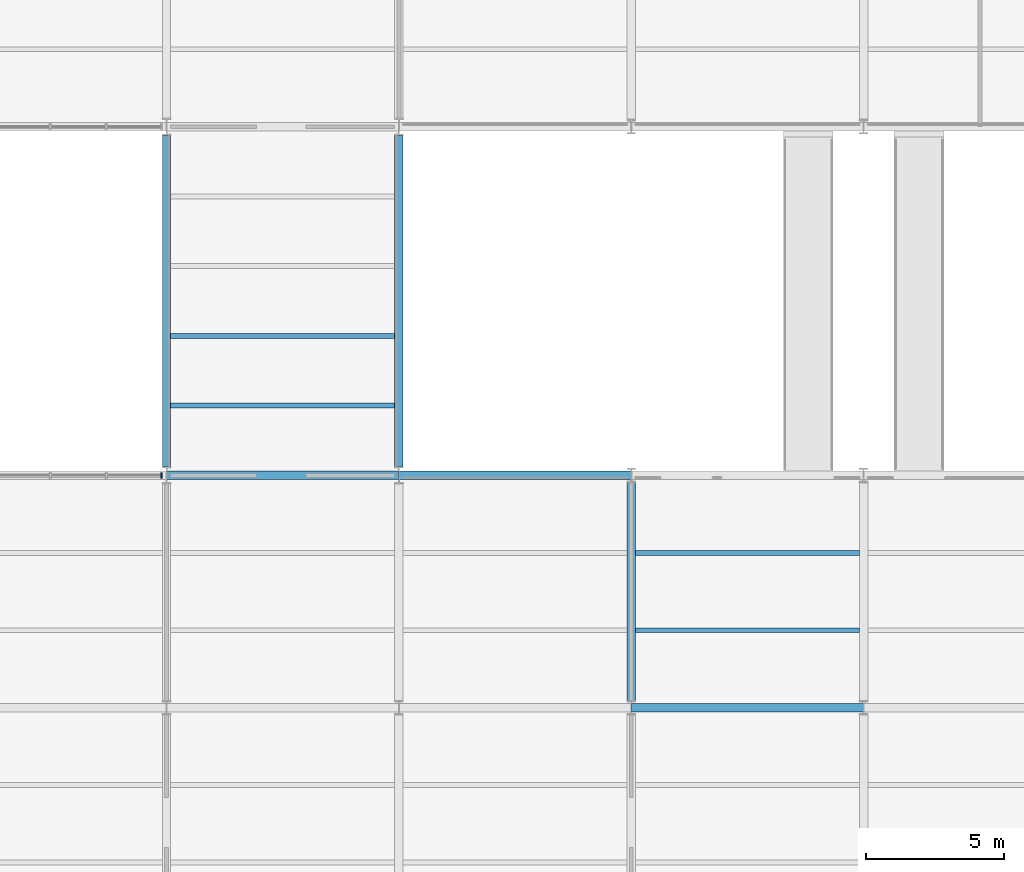
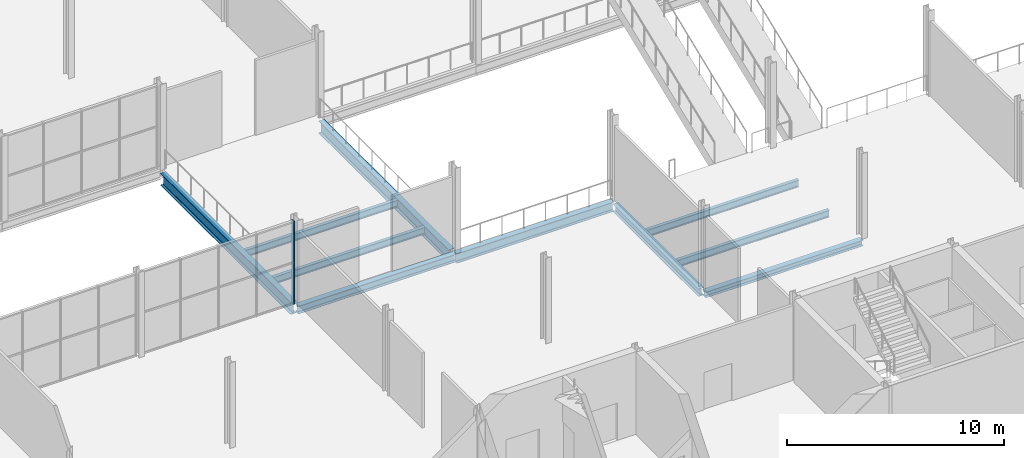
# One storey, part 13 of 61: 10 beams, 1 member, 1 element without a shape of its own.
"""IFC4 building model written with IfcOpenShell, lengths in metres."""

from ifc_helpers import new_model, si_unit, direction, frame, origin, origin_2d, place, context, subcontext, project, spatial, rectangle, i_section, extrude, material, layer, layer_set, material_profile, profile_set, type_object, element, aggregate, save


model = new_model("IFC4")

# Units and contexts
model_context = context("Model", 3, precision=1e-05, world=origin(), true_north=direction((0.0, 1.0)))
body_context = subcontext(model_context, "Body", "Model", "MODEL_VIEW")
ifc_project = project(units=[si_unit("LENGTHUNIT", "METRE"), si_unit("AREAUNIT", "SQUARE_METRE"), si_unit("VOLUMEUNIT", "CUBIC_METRE"), si_unit("PLANEANGLEUNIT", "RADIAN"), si_unit("MASSUNIT", "GRAM", prefix="KILO")], contexts=[model_context])

# Site, building, storey
site_placement = place(None, origin())
site = spatial("IfcSite", under=ifc_project, at=site_placement, CompositionType="ELEMENT")
building_placement = place(site_placement, origin())
building = spatial("IfcBuilding", under=site, at=building_placement, Name="Galleria Vessillo Department Store", CompositionType="ELEMENT")
storey_placement = place(building_placement, frame((0.0, 0.0, 11.39990234375)))
storey = spatial("IfcBuildingStorey", under=building, at=storey_placement, Name="L02", CompositionType="ELEMENT", Elevation=11.39990234375)

# Curtain wall, member
ifc_material_1 = material(Name="Aluminium and glass curtain wall", Category="aluminium")
ifc_layer = layer(ifc_material_1, 0.199951171875)
ifc_layer_set = layer_set([ifc_layer], Name="Aluminium and glass curtain wall")
curtain_wall_type = type_object("IfcCurtainWallType", Name="Arcade curtain wall CW1 2100 module", PredefinedType="NOTDEFINED", material=ifc_layer_set)
curtain_wall_placement = place(storey_placement, origin())
curtain_wall = element("IfcCurtainWall", 1, at=curtain_wall_placement, inside=storey, type_object=curtain_wall_type, Name="Arcade curtain wall CW1 2100 module AI-AW-S-L02-02", PredefinedType="NOTDEFINED")
ifc_material_2 = material(Name="Aluminium alloy 6063 T6", Category="aluminium")
ifc_material_profile_1 = material_profile(ifc_material_2, rectangle(XDim=0.199951171875, YDim=0.06005859375, at=origin_2d()), Name="AL 60x200")
ifc_profile_set_1 = profile_set([ifc_material_profile_1], Name="Aluminium alloy 6063 T6")
member_type = type_object("IfcMemberType", Name="Aluminium mullion 60 x 200", PredefinedType="MULLION", material=ifc_profile_set_1)
member_placement = place(storey_placement, frame((33.41748046875, 25.199951171875, 0.0), z_axis=(0.0, 0.0, 1.0), x_axis=(0.0, 1.0, 0.0)))
member = element("IfcMember", 2, at=member_placement, type_object=member_type, Name="CW1 mullion 5", PredefinedType="MULLION", context=body_context, shape_type="SweptSolid", body=[
    extrude(rectangle(XDim=0.199951171875, YDim=0.06005859375, at=origin_2d()), origin(), (0.0, 0.0, 1.0), 4.650146484375),
])
aggregate(curtain_wall, [member])

# Beams
ifc_material_3 = material(Name="Steel S355 J2", Category="steel")
ifc_material_profile_2 = material_profile(ifc_material_3, i_section(OverallWidth=0.300048828125, OverallDepth=0.43994140625, WebThickness=0.011474609375, FlangeThickness=0.02099609375, FilletRadius=0.027099609375, at=origin_2d()), Name="HEA 450")
ifc_profile_set_2 = profile_set([ifc_material_profile_2], Name="Steel S355 J2")
beam_type_1 = type_object("IfcBeamType", Name="Bridge girder HEA 450", PredefinedType="BEAM", material=ifc_profile_set_2)
beam_1_placement = place(storey_placement, frame((33.610595703125, 25.199951171875, -0.369873046875), z_axis=(1.0, 0.0, 0.0), x_axis=(0.0, 1.0, 0.0)))
element("IfcBeam", 3, at=beam_1_placement, inside=storey, type_object=beam_type_1, Name="S-BM-L02-BR-x25200-33611", PredefinedType="BEAM", context=body_context, shape_type="SweptSolid", body=[
    extrude(i_section(OverallWidth=0.300048828125, OverallDepth=0.43994140625, WebThickness=0.011474609375, FlangeThickness=0.02099609375, FilletRadius=0.027099609375, at=origin_2d()), origin(), (0.0, 0.0, 1.0), 8.378662109375),
])
ifc_material_4 = material(Name="Steel S355 J2", Category="steel")
ifc_material_profile_3 = material_profile(ifc_material_4, i_section(OverallWidth=0.300048828125, OverallDepth=0.68994140625, WebThickness=0.014404296875, FlangeThickness=0.027099609375, FilletRadius=0.027099609375, at=origin_2d()), Name="HEA 700")
ifc_profile_set_3 = profile_set([ifc_material_profile_3], Name="Steel S355 J2")
beam_type_2 = type_object("IfcBeamType", Name="Bridge girder HEA 700", PredefinedType="BEAM", material=ifc_profile_set_3)
for number, where, z_axis, x_axis, name in (
    (4, (33.60009765625, 25.51025390625, -0.494873046875), (0.0, 1.0, 0.0), (-1.0, 0.0, 0.0), "S-BM-L02-BR-y33600-25510"),
    (5, (42.0, 25.51025390625, -0.494873046875), (0.0, 1.0, 0.0), (-1.0, 0.0, 0.0), "S-BM-L02-BR-y42000-25510"),
):
    element("IfcBeam", number, at=place(storey_placement, frame(where, z_axis=z_axis, x_axis=x_axis)), inside=storey, type_object=beam_type_2, Name=name, PredefinedType="BEAM", context=body_context, shape_type="SweptSolid", body=[
        extrude(i_section(OverallWidth=0.300048828125, OverallDepth=0.68994140625, WebThickness=0.014404296875, FlangeThickness=0.027099609375, FilletRadius=0.027099609375, at=origin_2d()), origin(), (0.0, 0.0, 1.0), 11.9794921875),
    ])
ifc_material_5 = material(Name="Steel S355 J2", Category="steel")
ifc_material_profile_4 = material_profile(ifc_material_5, i_section(OverallWidth=0.300048828125, OverallDepth=0.43994140625, WebThickness=0.011474609375, FlangeThickness=0.02099609375, FilletRadius=0.027099609375, at=origin_2d()), Name="HEA 450")
ifc_profile_set_4 = profile_set([ifc_material_profile_4], Name="Steel S355 J2")
beam_type_3 = type_object("IfcBeamType", Name="Floor girder HEA 450", PredefinedType="BEAM", material=ifc_profile_set_4)
beam_2_placement = place(storey_placement, frame((50.39990234375, 17.050048828125, -0.369873046875), z_axis=(0.0, 1.0, 0.0), x_axis=(-1.0, 0.0, 0.0)))
element("IfcBeam", 6, at=beam_2_placement, inside=storey, type_object=beam_type_3, Name="S-BM-L02-GI-y50400-17050", PredefinedType="BEAM", context=body_context, shape_type="SweptSolid", body=[
    extrude(i_section(OverallWidth=0.300048828125, OverallDepth=0.43994140625, WebThickness=0.011474609375, FlangeThickness=0.02099609375, FilletRadius=0.027099609375, at=origin_2d()), origin(), (0.0, 0.0, 1.0), 7.887939453125),
])
ifc_material_6 = material(Name="Steel S355 J2", Category="steel")
ifc_material_profile_5 = material_profile(ifc_material_6, i_section(OverallWidth=0.179931640625, OverallDepth=0.39990234375, WebThickness=0.008544921875, FlangeThickness=0.013427734375, FilletRadius=0.02099609375, at=origin_2d()), Name="IPE 400")
ifc_profile_set_5 = profile_set([ifc_material_profile_5], Name="Steel S355 J2")
beam_type_4 = type_object("IfcBeamType", Name="Floor joist IPE 400", PredefinedType="JOIST", material=ifc_profile_set_5)
for number, where, z_axis, x_axis, name in (
    (7, (33.750244140625, 27.719970703125, -0.349853515625), (1.0, 0.0, 0.0), (0.0, 1.0, 0.0), "S-BM-L02-JO-x27720-33750"),
    (8, (33.750244140625, 30.239990234375, -0.349853515625), (1.0, 0.0, 0.0), (0.0, 1.0, 0.0), "S-BM-L02-JO-x30240-33750"),
):
    element("IfcBeam", number, at=place(storey_placement, frame(where, z_axis=z_axis, x_axis=x_axis)), inside=storey, type_object=beam_type_4, Name=name, PredefinedType="JOIST", context=body_context, shape_type="SweptSolid", body=[
        extrude(i_section(OverallWidth=0.179931640625, OverallDepth=0.39990234375, WebThickness=0.008544921875, FlangeThickness=0.013427734375, FilletRadius=0.02099609375, at=origin_2d()), origin(), (0.0, 0.0, 1.0), 8.099609375),
    ])
for number, where, z_axis, x_axis, name in (
    (9, (50.550048828125, 19.60009765625, -0.349853515625), (1.0, 0.0, 0.0), (0.0, 1.0, 0.0), "S-BM-L02-JO-x19600-50550"),
    (10, (50.550048828125, 22.39990234375, -0.349853515625), (1.0, 0.0, 0.0), (0.0, 1.0, 0.0), "S-BM-L02-JO-x22400-50550"),
):
    element("IfcBeam", number, at=place(storey_placement, frame(where, z_axis=z_axis, x_axis=x_axis)), inside=storey, type_object=beam_type_4, Name=name, PredefinedType="JOIST", context=body_context, shape_type="SweptSolid", body=[
        extrude(i_section(OverallWidth=0.179931640625, OverallDepth=0.39990234375, WebThickness=0.008544921875, FlangeThickness=0.013427734375, FilletRadius=0.02099609375, at=origin_2d()), origin(), (0.0, 0.0, 1.0), 8.099853515625),
    ])
ifc_material_7 = material(Name="Steel S355 J2", Category="steel")
ifc_material_profile_6 = material_profile(ifc_material_7, i_section(OverallWidth=0.300048828125, OverallDepth=0.330078125, WebThickness=0.009521484375, FlangeThickness=0.0166015625, FilletRadius=0.027099609375, at=origin_2d()), Name="HEA 340")
ifc_profile_set_6 = profile_set([ifc_material_profile_6], Name="Steel S355 J2")
beam_type_5 = type_object("IfcBeamType", Name="Floor tie girder HEA 340", PredefinedType="BEAM", material=ifc_profile_set_6)
beam_3_placement = place(storey_placement, frame((50.407470703125, 16.800048828125, -0.31494140625), z_axis=(1.0, 0.0, 0.0), x_axis=(0.0, 1.0, 0.0)))
element("IfcBeam", 11, at=beam_3_placement, inside=storey, type_object=beam_type_5, Name="S-BM-L02-TI-x16800-50407", PredefinedType="BEAM", context=body_context, shape_type="SweptSolid", body=[
    extrude(i_section(OverallWidth=0.300048828125, OverallDepth=0.330078125, WebThickness=0.009521484375, FlangeThickness=0.0166015625, FilletRadius=0.027099609375, at=origin_2d()), origin(), (0.0, 0.0, 1.0), 8.38525390625),
])
ifc_material_8 = material(Name="Steel S355 J2", Category="steel")
ifc_material_profile_7 = material_profile(ifc_material_8, i_section(OverallWidth=0.300048828125, OverallDepth=0.5400390625, WebThickness=0.012451171875, FlangeThickness=0.02392578125, FilletRadius=0.027099609375, at=origin_2d()), Name="HEA 550")
ifc_profile_set_7 = profile_set([ifc_material_profile_7], Name="Steel S355 J2")
beam_type_6 = type_object("IfcBeamType", Name="Trimmer beam HEA 550", PredefinedType="BEAM", material=ifc_profile_set_7)
beam_4_placement = place(storey_placement, frame((42.0107421875, 25.199951171875, -0.419921875), z_axis=(1.0, 0.0, 0.0), x_axis=(0.0, 1.0, 0.0)))
element("IfcBeam", 12, at=beam_4_placement, inside=storey, type_object=beam_type_6, Name="S-BM-L02-TR-x25200-42011", PredefinedType="BEAM", context=body_context, shape_type="SweptSolid", body=[
    extrude(i_section(OverallWidth=0.300048828125, OverallDepth=0.5400390625, WebThickness=0.012451171875, FlangeThickness=0.02392578125, FilletRadius=0.027099609375, at=origin_2d()), origin(), (0.0, 0.0, 1.0), 8.378662109375),
])

save(model, "model.ifc")
